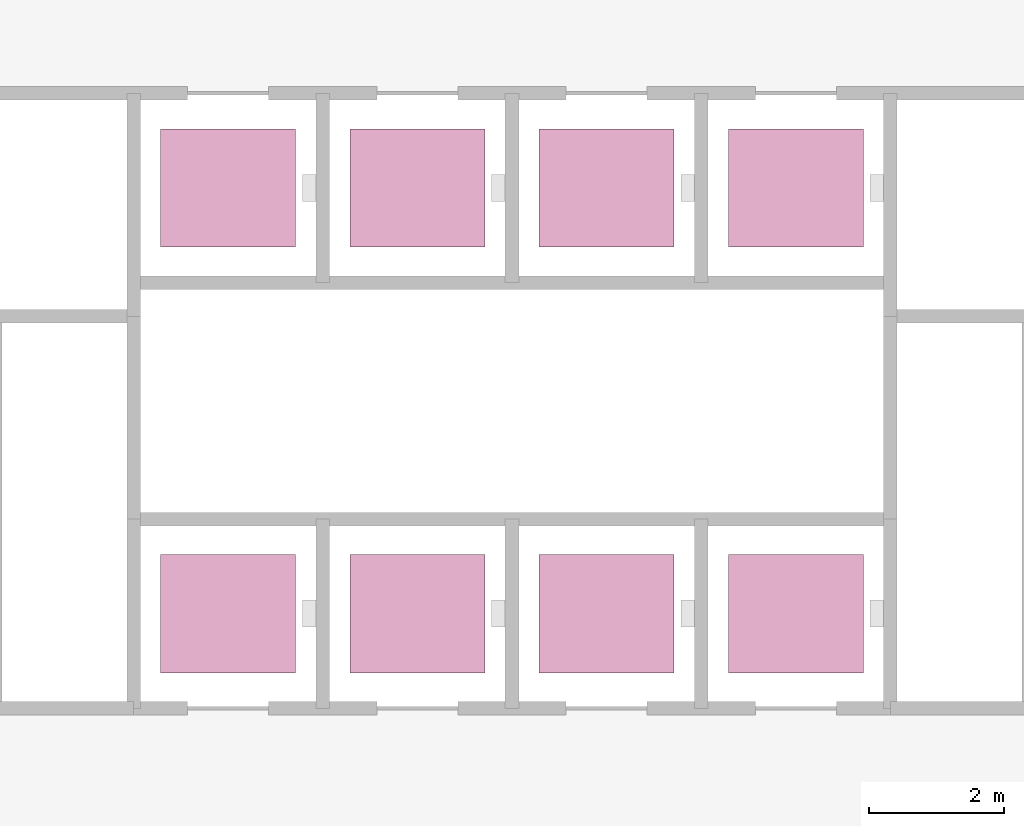
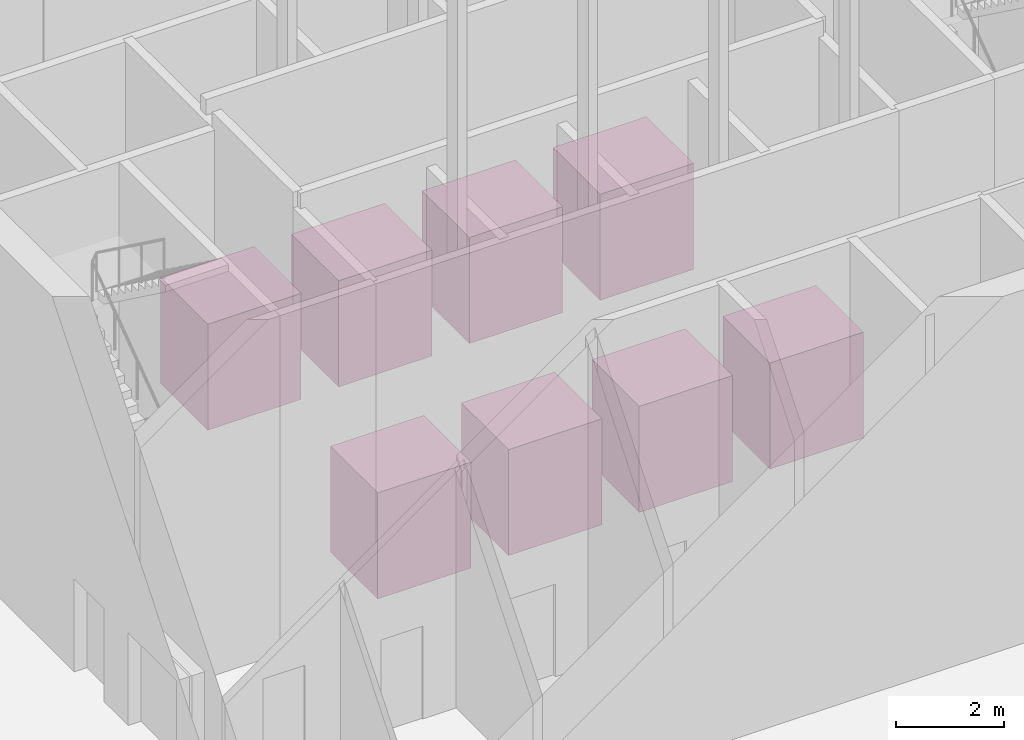
# One storey, part 32 of 32: 8 transport elements.
"""IFC4 building model written with IfcOpenShell, lengths in metres."""

from ifc_helpers import new_model, si_unit, direction, frame, origin, origin_2d, place, context, subcontext, project, spatial, rectangle, extrude, material, type_object, element, save


model = new_model("IFC4")

# Units and contexts
model_context = context("Model", 3, precision=1e-05, world=origin(), true_north=direction((0.0, 1.0)))
body_context = subcontext(model_context, "Body", "Model", "MODEL_VIEW")
ifc_project = project(units=[si_unit("LENGTHUNIT", "METRE"), si_unit("AREAUNIT", "SQUARE_METRE"), si_unit("VOLUMEUNIT", "CUBIC_METRE"), si_unit("PLANEANGLEUNIT", "RADIAN"), si_unit("MASSUNIT", "GRAM", prefix="KILO")], contexts=[model_context])

# Site, building, storey
site_placement = place(None, origin())
site = spatial("IfcSite", under=ifc_project, at=site_placement, CompositionType="ELEMENT")
building_placement = place(site_placement, origin())
building = spatial("IfcBuilding", under=site, at=building_placement, Name="Quoin Convention Tower", CompositionType="ELEMENT")
storey_placement = place(building_placement, origin())
storey = spatial("IfcBuildingStorey", under=building, at=storey_placement, Name="L00", CompositionType="ELEMENT", Elevation=0.0)

# Transport elements
ifc_material = material(Name="Stainless steel", Category="steel")
transport_element_type = type_object("IfcTransportElementType", Name="Passenger lift 1600 kg 2000 x 1750", PredefinedType="ELEVATOR", material=ifc_material)
for number, where, z_axis, x_axis, name in (
    (1, (52.050048828125, 57.60009765625, 0.0), (0.0, 0.0, 1.0), (1.0, 0.0, 0.0), "LIFT H1"),
    (2, (54.85009765625, 57.60009765625, 0.0), (0.0, 0.0, 1.0), (1.0, 0.0, 0.0), "LIFT H2"),
    (3, (57.64990234375, 57.60009765625, 0.0), (0.0, 0.0, 1.0), (1.0, 0.0, 0.0), "LIFT H3"),
    (4, (60.449951171875, 57.60009765625, 0.0), (0.0, 0.0, 1.0), (1.0, 0.0, 0.0), "LIFT H4"),
    (5, (52.050048828125, 63.89990234375, 0.0), (0.0, 0.0, 1.0), (1.0, 0.0, 0.0), "LIFT H5"),
    (6, (54.85009765625, 63.89990234375, 0.0), (0.0, 0.0, 1.0), (1.0, 0.0, 0.0), "LIFT H6"),
    (7, (57.64990234375, 63.89990234375, 0.0), (0.0, 0.0, 1.0), (1.0, 0.0, 0.0), "LIFT H7"),
    (8, (60.449951171875, 63.89990234375, 0.0), (0.0, 0.0, 1.0), (1.0, 0.0, 0.0), "LIFT H8"),
):
    element("IfcTransportElement", number, at=place(storey_placement, frame(where, z_axis=z_axis, x_axis=x_axis)), inside=storey, type_object=transport_element_type, Name=name, PredefinedType="ELEVATOR", context=body_context, shape_type="SweptSolid", body=[
        extrude(rectangle(XDim=2.0, YDim=1.75, at=origin_2d()), origin(), (0.0, 0.0, 1.0), 2.39990234375),
    ])

save(model, "model.ifc")
